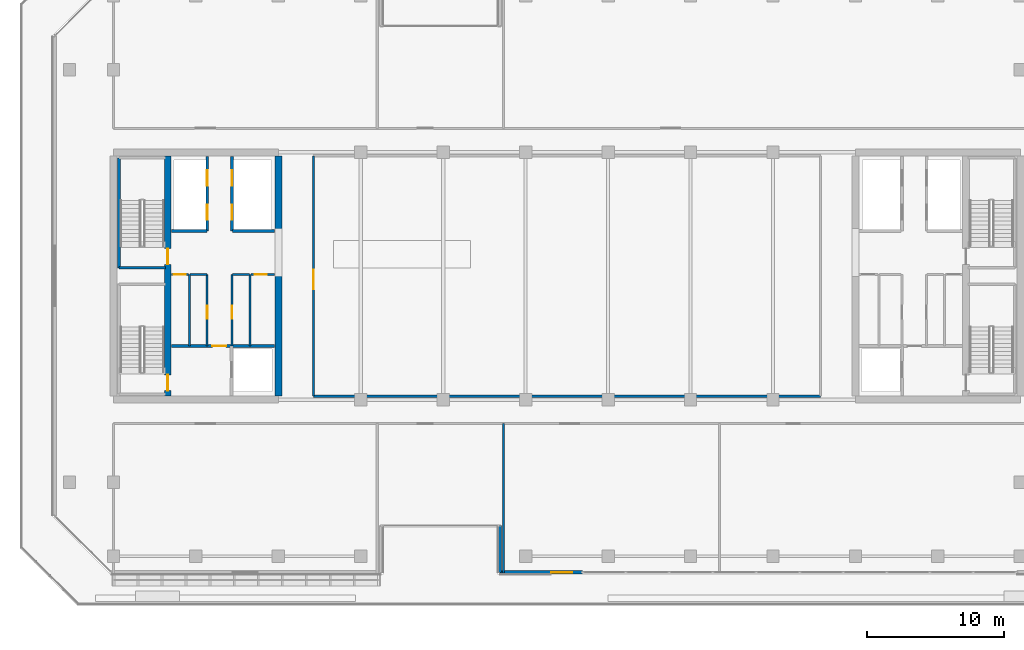
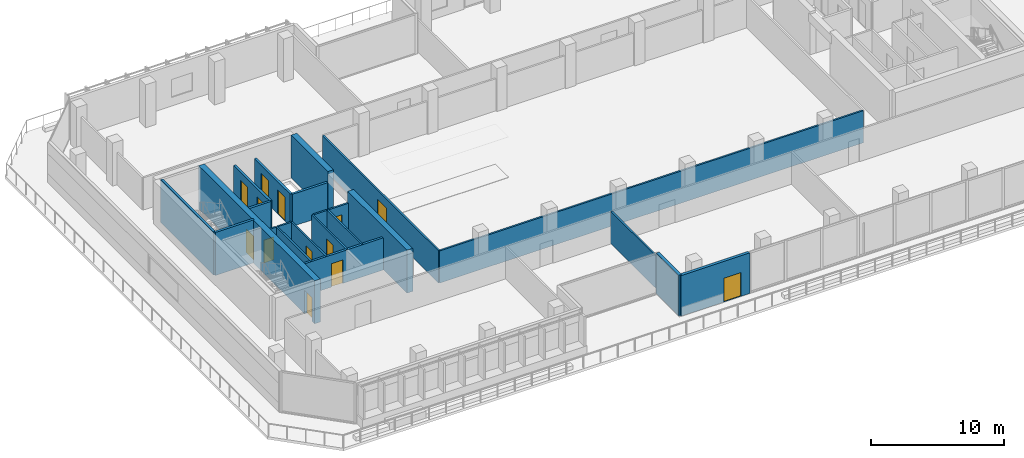
# One storey, part 20 of 30: 23 walls, 13 doors, 13 openings.
"""IFC4 building model written with IfcOpenShell, lengths in metres."""

from ifc_helpers import new_model, si_unit, direction, frame, frame_2d, origin, place, context, subcontext, project, spatial, rectangle, extrude, material, layer, layer_set, type_object, element, fill, save


model = new_model("IFC4")

# Units and contexts
model_context = context("Model", 3, precision=1e-05, world=origin(), true_north=direction((0.0, 1.0)))
body_context = subcontext(model_context, "Body", "Model", "MODEL_VIEW")
ifc_project = project(units=[si_unit("LENGTHUNIT", "METRE"), si_unit("AREAUNIT", "SQUARE_METRE"), si_unit("VOLUMEUNIT", "CUBIC_METRE"), si_unit("PLANEANGLEUNIT", "RADIAN"), si_unit("MASSUNIT", "GRAM", prefix="KILO")], contexts=[model_context])

# Site, building, storey
site_placement = place(None, origin())
site = spatial("IfcSite", under=ifc_project, at=site_placement, CompositionType="ELEMENT")
building_placement = place(site_placement, origin())
building = spatial("IfcBuilding", under=site, at=building_placement, Name="Tanjung Sevakor Pilgrim Tower", CompositionType="ELEMENT")
storey_placement = place(building_placement, frame((0.0, 0.0, 128.0400390625)))
storey = spatial("IfcBuildingStorey", under=building, at=storey_placement, Name="L35", CompositionType="ELEMENT", Elevation=128.0400390625)

# Walls
ifc_material_1 = material(Name="Concrete C60/75", Category="concrete")
ifc_layer_1 = layer(ifc_material_1, 0.5)
ifc_layer_set_1 = layer_set([ifc_layer_1], Name="WALL-CW-500")
wall_type_1 = type_object("IfcWallType", Name="WALL-CW-500", PredefinedType="SHEAR", material=ifc_layer_set_1)
wall_1_placement = place(storey_placement, frame((36.0, 24.85009765625, 0.0), z_axis=(0.0, 0.0, 1.0), x_axis=(0.0, 1.0, 0.0)))
element("IfcWall", 1, at=wall_1_placement, inside=storey, type_object=wall_type_1, Name="L35 W Core Inner Shear Wall South", PredefinedType="SHEAR", context=body_context, shape_type="SweptSolid", body=[
    extrude(rectangle(XDim=8.949951171875, YDim=0.5, at=frame_2d((4.47509765625, 0.0))), origin(), (0.0, 0.0, 1.0), 3.9599609375),
])
wall_2_placement = place(storey_placement, frame((36.0, 36.800048828125, 0.0), z_axis=(0.0, 0.0, 1.0), x_axis=(0.0, 1.0, 0.0)))
element("IfcWall", 2, at=wall_2_placement, inside=storey, type_object=wall_type_1, Name="L35 W Core Inner Shear Wall North", PredefinedType="SHEAR", context=body_context, shape_type="SweptSolid", body=[
    extrude(rectangle(XDim=5.550048828125, YDim=0.5, at=frame_2d((2.77490234375, 0.0))), origin(), (0.0, 0.0, 1.0), 3.9599609375),
])

# Wall, openings, doors
wall_3_placement = place(storey_placement, frame((27.949951171875, 24.85009765625, 0.0), z_axis=(0.0, 0.0, 1.0), x_axis=(0.0, 1.0, 0.0)))
wall_3 = element("IfcWall", 3, at=wall_3_placement, inside=storey, type_object=wall_type_1, Name="L35 W Core Stair Spine Wall", PredefinedType="SHEAR", context=body_context, shape_type="SweptSolid", body=[
    extrude(rectangle(XDim=17.5, YDim=0.5, at=frame_2d((8.75, 0.0))), origin(), (0.0, 0.0, 1.0), 3.9599609375),
])
opening_1_placement = place(wall_3_placement, frame((0.39990234375, 0.0, 0.0)))
opening_1 = element("IfcOpeningElement", 4, at=opening_1_placement, cuts=wall_3, Name="Opening ID-ST1", PredefinedType="OPENING", context=body_context, shape_type="SweptSolid", body=[
    extrude(rectangle(XDim=1.14990234375, YDim=2.14990234375, at=frame_2d((0.574951171875, 1.074951171875))), frame((0.0, 0.260009765625, 0.0), z_axis=(0.0, -1.0, 0.0), x_axis=(1.0, 0.0, 0.0)), (0.0, 0.0, 1.0), 0.52001953125),
])
opening_2_placement = place(wall_3_placement, frame((9.60009765625, 0.0, 0.0)))
opening_2 = element("IfcOpeningElement", 5, at=opening_2_placement, cuts=wall_3, Name="Opening ID-ST1", PredefinedType="OPENING", context=body_context, shape_type="SweptSolid", body=[
    extrude(rectangle(XDim=1.14990234375, YDim=2.14990234375, at=frame_2d((0.574951171875, 1.074951171875))), frame((0.0, 0.260009765625, 0.0), z_axis=(0.0, -1.0, 0.0), x_axis=(1.0, 0.0, 0.0)), (0.0, 0.0, 1.0), 0.52001953125),
])
ifc_material_2 = material(Name="Fire-Rated Steel S355J2", Category="steel")
door_type_1 = type_object("IfcDoorType", Name="DT-FIRE-1150", OperationType="NOTDEFINED", PredefinedType="DOOR", material=ifc_material_2)
door_1_placement = place(opening_1_placement, origin())
door_1 = element("IfcDoor", 6, at=door_1_placement, inside=storey, type_object=door_type_1, Name="L35 TS-W1 Stair Fire Door", OperationType="SINGLE_SWING_LEFT", OverallHeight=2.14990234375, OverallWidth=1.14990234375, PredefinedType="DOOR", context=body_context, shape_type="SweptSolid", body=[
    extrude(rectangle(XDim=1.14990234375, YDim=2.14990234375, at=frame_2d((0.574951171875, 1.074951171875))), frame((0.0, 0.02490234375, 0.0), z_axis=(0.0, -1.0, 0.0), x_axis=(1.0, 0.0, 0.0)), (0.0, 0.0, 1.0), 0.050048828125),
])
fill(opening_1, door_1)
door_2_placement = place(opening_2_placement, origin())
door_2 = element("IfcDoor", 7, at=door_2_placement, inside=storey, type_object=door_type_1, Name="L35 TS-W2 Stair Fire Door", OperationType="SINGLE_SWING_RIGHT", OverallHeight=2.14990234375, OverallWidth=1.14990234375, PredefinedType="DOOR", context=body_context, shape_type="SweptSolid", body=[
    extrude(rectangle(XDim=1.14990234375, YDim=2.14990234375, at=frame_2d((0.574951171875, 1.074951171875))), frame((0.0, 0.02490234375, 0.0), z_axis=(0.0, -1.0, 0.0), x_axis=(1.0, 0.0, 0.0)), (0.0, 0.0, 1.0), 0.050048828125),
])
fill(opening_2, door_2)

# Wall
ifc_material_3 = material(Name="Concrete C40/50", Category="concrete")
ifc_layer_2 = layer(ifc_material_3, 0.14990234375)
ifc_layer_set_2 = layer_set([ifc_layer_2], Name="WT-COMP-150")
wall_type_2 = type_object("IfcWallType", Name="WT-COMP-150", PredefinedType="SOLIDWALL", material=ifc_layer_set_2)
wall_4_placement = place(storey_placement, frame((29.52001953125, 28.5, 0.0), z_axis=(0.0, 0.0, 1.0), x_axis=(0.0, 1.0, 0.0)))
element("IfcWall", 8, at=wall_4_placement, inside=storey, type_object=wall_type_2, Name="L35 Partition IW-L35-003", PredefinedType="SOLIDWALL", context=body_context, shape_type="SweptSolid", body=[
    extrude(rectangle(XDim=5.219970703125, YDim=0.14990234375, at=frame_2d((2.60986328125, 0.0))), origin(), (0.0, 0.0, 1.0), 2.9599609375),
])

# Wall, opening, door
wall_5_placement = place(storey_placement, frame((28.219970703125, 33.719970703125, 0.0), z_axis=(0.0, 0.0, 1.0), x_axis=(1.0, 0.0, 0.0)))
wall_5 = element("IfcWall", 9, at=wall_5_placement, inside=storey, type_object=wall_type_2, Name="L35 Partition IW-L35-004", PredefinedType="SOLIDWALL", context=body_context, shape_type="SweptSolid", body=[
    extrude(rectangle(XDim=1.22998046875, YDim=0.14990234375, at=frame_2d((0.614990234375, 0.0))), origin(), (0.0, 0.0, 1.0), 2.9599609375),
])
opening_3_placement = place(wall_5_placement, frame((0.179931640625, 0.0, 0.0)))
opening_3 = element("IfcOpeningElement", 10, at=opening_3_placement, cuts=wall_5, Name="Opening ID-FD3", PredefinedType="OPENING", context=body_context, shape_type="SweptSolid", body=[
    extrude(rectangle(XDim=0.85009765625, YDim=2.10009765625, at=frame_2d((0.425048828125, 1.050048828125))), frame((0.0, 0.0849609375, 0.0), z_axis=(0.0, -1.0, 0.0), x_axis=(1.0, 0.0, 0.0)), (0.0, 0.0, 1.0), 0.169921875),
])
ifc_material_4 = material(Name="Fire-Rated Timber", Category="wood")
door_type_2 = type_object("IfcDoorType", Name="DT-FIRE-850", OperationType="NOTDEFINED", PredefinedType="DOOR", material=ifc_material_4)
door_3_placement = place(opening_3_placement, origin())
door_3 = element("IfcDoor", 11, at=door_3_placement, inside=storey, type_object=door_type_2, Name="L35 Cleaner Store Door", OperationType="SINGLE_SWING_LEFT", OverallHeight=2.10009765625, OverallWidth=0.85009765625, PredefinedType="DOOR", context=body_context, shape_type="SweptSolid", body=[
    extrude(rectangle(XDim=0.85009765625, YDim=2.10009765625, at=frame_2d((0.425048828125, 1.050048828125))), frame((0.0, 0.02490234375, 0.0), z_axis=(0.0, -1.0, 0.0), x_axis=(1.0, 0.0, 0.0)), (0.0, 0.0, 1.0), 0.050048828125),
])
fill(opening_3, door_3)

# Wall
wall_6_placement = place(storey_placement, frame((29.580078125, 33.719970703125, 0.0), z_axis=(0.0, 0.0, 1.0), x_axis=(1.0, 0.0, 0.0)))
element("IfcWall", 12, at=wall_6_placement, inside=storey, type_object=wall_type_2, Name="L35 Partition IW-L35-005", PredefinedType="SOLIDWALL", context=body_context, shape_type="SweptSolid", body=[
    extrude(rectangle(XDim=1.219970703125, YDim=0.14990234375, at=frame_2d((0.60986328125, 0.0))), origin(), (0.0, 0.0, 1.0), 2.9599609375),
])

# Wall, opening, door
wall_7_placement = place(storey_placement, frame((30.820068359375, 28.5, 0.0), z_axis=(0.0, 0.0, 1.0), x_axis=(0.0, 1.0, 0.0)))
wall_7 = element("IfcWall", 13, at=wall_7_placement, inside=storey, type_object=wall_type_2, Name="L35 Partition IW-L35-006", PredefinedType="SOLIDWALL", context=body_context, shape_type="SweptSolid", body=[
    extrude(rectangle(XDim=5.219970703125, YDim=0.14990234375, at=frame_2d((2.60986328125, 0.0))), origin(), (0.0, 0.0, 1.0), 2.9599609375),
])
opening_4_placement = place(wall_7_placement, frame((2.0, 0.0, 0.0)))
opening_4 = element("IfcOpeningElement", 14, at=opening_4_placement, cuts=wall_7, Name="Opening ID-FD2", PredefinedType="OPENING", context=body_context, shape_type="SweptSolid", body=[
    extrude(rectangle(XDim=0.949951171875, YDim=2.14990234375, at=frame_2d((0.47509765625, 1.074951171875))), frame((0.0, 0.0849609375, 0.0), z_axis=(0.0, -1.0, 0.0), x_axis=(1.0, 0.0, 0.0)), (0.0, 0.0, 1.0), 0.169921875),
])
ifc_material_5 = material(Name="Fire-Rated Timber", Category="wood")
door_type_3 = type_object("IfcDoorType", Name="DT-FIRE-950", OperationType="NOTDEFINED", PredefinedType="DOOR", material=ifc_material_5)
door_4_placement = place(opening_4_placement, origin())
door_4 = element("IfcDoor", 15, at=door_4_placement, inside=storey, type_object=door_type_3, Name="L35 Housekeeping Pantry Door", OperationType="SINGLE_SWING_RIGHT", OverallHeight=2.14990234375, OverallWidth=0.949951171875, PredefinedType="DOOR", context=body_context, shape_type="SweptSolid", body=[
    extrude(rectangle(XDim=0.949951171875, YDim=2.14990234375, at=frame_2d((0.47509765625, 1.074951171875))), frame((0.0, 0.02490234375, 0.0), z_axis=(0.0, -1.0, 0.0), x_axis=(1.0, 0.0, 0.0)), (0.0, 0.0, 1.0), 0.050048828125),
])
fill(opening_4, door_4)

# Walls
wall_8_placement = place(storey_placement, frame((33.949951171875, 28.5, 0.0), z_axis=(0.0, 0.0, 1.0), x_axis=(0.0, 1.0, 0.0)))
element("IfcWall", 16, at=wall_8_placement, inside=storey, type_object=wall_type_2, Name="L35 Partition IW-L35-007", PredefinedType="SOLIDWALL", context=body_context, shape_type="SweptSolid", body=[
    extrude(rectangle(XDim=5.219970703125, YDim=0.14990234375, at=frame_2d((2.60986328125, 0.0))), origin(), (0.0, 0.0, 1.0), 2.9599609375),
])
wall_9_placement = place(storey_placement, frame((32.679931640625, 33.719970703125, 0.0), z_axis=(0.0, 0.0, 1.0), x_axis=(1.0, 0.0, 0.0)))
element("IfcWall", 17, at=wall_9_placement, inside=storey, type_object=wall_type_2, Name="L35 Partition IW-L35-008", PredefinedType="SOLIDWALL", context=body_context, shape_type="SweptSolid", body=[
    extrude(rectangle(XDim=1.2099609375, YDim=0.14990234375, at=frame_2d((0.60498046875, 0.0))), origin(), (0.0, 0.0, 1.0), 2.9599609375),
])

# Wall, opening, door
wall_10_placement = place(storey_placement, frame((34.010009765625, 33.719970703125, 0.0), z_axis=(0.0, 0.0, 1.0), x_axis=(1.0, 0.0, 0.0)))
wall_10 = element("IfcWall", 18, at=wall_10_placement, inside=storey, type_object=wall_type_2, Name="L35 Partition IW-L35-009", PredefinedType="SOLIDWALL", context=body_context, shape_type="SweptSolid", body=[
    extrude(rectangle(XDim=1.719970703125, YDim=0.14990234375, at=frame_2d((0.85986328125, 0.0))), origin(), (0.0, 0.0, 1.0), 2.9599609375),
])
opening_5_placement = place(wall_10_placement, frame((0.280029296875, 0.0, 0.0)))
opening_5 = element("IfcOpeningElement", 19, at=opening_5_placement, cuts=wall_10, Name="Opening ID-FD3", PredefinedType="OPENING", context=body_context, shape_type="SweptSolid", body=[
    extrude(rectangle(XDim=0.85009765625, YDim=2.10009765625, at=frame_2d((0.425048828125, 1.050048828125))), frame((0.0, 0.0849609375, 0.0), z_axis=(0.0, -1.0, 0.0), x_axis=(1.0, 0.0, 0.0)), (0.0, 0.0, 1.0), 0.169921875),
])
door_5_placement = place(opening_5_placement, origin())
door_5 = element("IfcDoor", 20, at=door_5_placement, inside=storey, type_object=door_type_2, Name="L35 Service Store Door", OperationType="SINGLE_SWING_LEFT", OverallHeight=2.10009765625, OverallWidth=0.85009765625, PredefinedType="DOOR", context=body_context, shape_type="SweptSolid", body=[
    extrude(rectangle(XDim=0.85009765625, YDim=2.10009765625, at=frame_2d((0.425048828125, 1.050048828125))), frame((0.0, 0.02490234375, 0.0), z_axis=(0.0, -1.0, 0.0), x_axis=(1.0, 0.0, 0.0)), (0.0, 0.0, 1.0), 0.050048828125),
])
fill(opening_5, door_5)

wall_11_placement = place(storey_placement, frame((32.6201171875, 28.5, 0.0), z_axis=(0.0, 0.0, 1.0), x_axis=(0.0, 1.0, 0.0)))
wall_11 = element("IfcWall", 21, at=wall_11_placement, inside=storey, type_object=wall_type_2, Name="L35 Partition IW-L35-010", PredefinedType="SOLIDWALL", context=body_context, shape_type="SweptSolid", body=[
    extrude(rectangle(XDim=5.219970703125, YDim=0.14990234375, at=frame_2d((2.60986328125, 0.0))), origin(), (0.0, 0.0, 1.0), 2.9599609375),
])
opening_6_placement = place(wall_11_placement, frame((2.0, 0.0, 0.0)))
opening_6 = element("IfcOpeningElement", 22, at=opening_6_placement, cuts=wall_11, Name="Opening ID-FD2", PredefinedType="OPENING", context=body_context, shape_type="SweptSolid", body=[
    extrude(rectangle(XDim=0.949951171875, YDim=2.14990234375, at=frame_2d((0.47509765625, 1.074951171875))), frame((0.0, 0.0849609375, 0.0), z_axis=(0.0, -1.0, 0.0), x_axis=(1.0, 0.0, 0.0)), (0.0, 0.0, 1.0), 0.169921875),
])
door_6_placement = place(opening_6_placement, origin())
door_6 = element("IfcDoor", 23, at=door_6_placement, inside=storey, type_object=door_type_3, Name="L35 Accessible WC Door", OperationType="SINGLE_SWING_RIGHT", OverallHeight=2.14990234375, OverallWidth=0.949951171875, PredefinedType="DOOR", context=body_context, shape_type="SweptSolid", body=[
    extrude(rectangle(XDim=0.949951171875, YDim=2.14990234375, at=frame_2d((0.47509765625, 1.074951171875))), frame((0.0, 0.02490234375, 0.0), z_axis=(0.0, -1.0, 0.0), x_axis=(1.0, 0.0, 0.0)), (0.0, 0.0, 1.0), 0.050048828125),
])
fill(opening_6, door_6)

# Wall
wall_12_placement = place(storey_placement, frame((38.550048828125, 24.85009765625, 0.0), z_axis=(0.0, 0.0, 1.0), x_axis=(1.0, 0.0, 0.0)))
element("IfcWall", 24, at=wall_12_placement, inside=storey, type_object=wall_type_2, Name="L35 Partition IW-L35-029", PredefinedType="SOLIDWALL", context=body_context, shape_type="SweptSolid", body=[
    extrude(rectangle(XDim=36.89990234375, YDim=0.14990234375, at=frame_2d((18.449951171875, 0.0))), origin(), (0.0, 0.0, 1.0), 2.9599609375),
])

# Wall, opening, door
wall_13_placement = place(storey_placement, frame((38.550048828125, 24.85009765625, 0.0), z_axis=(0.0, 0.0, 1.0), x_axis=(0.0, 1.0, 0.0)))
wall_13 = element("IfcWall", 25, at=wall_13_placement, inside=storey, type_object=wall_type_2, Name="L35 Partition IW-L35-031", PredefinedType="SOLIDWALL", context=body_context, shape_type="SweptSolid", body=[
    extrude(rectangle(XDim=17.5, YDim=0.14990234375, at=frame_2d((8.75, 0.0))), origin(), (0.0, 0.0, 1.0), 2.9599609375),
])
opening_7_placement = place(wall_13_placement, frame((7.800048828125, 0.0, 0.0)))
opening_7 = element("IfcOpeningElement", 26, at=opening_7_placement, cuts=wall_13, Name="Opening ID-HD1", PredefinedType="OPENING", context=body_context, shape_type="SweptSolid", body=[
    extrude(rectangle(XDim=1.39990234375, YDim=2.14990234375, at=frame_2d((0.699951171875, 1.074951171875))), frame((0.0, 0.0849609375, 0.0), z_axis=(0.0, -1.0, 0.0), x_axis=(1.0, 0.0, 0.0)), (0.0, 0.0, 1.0), 0.169921875),
])
ifc_material_6 = material(Name="Hardwood Timber", Category="wood")
door_type_4 = type_object("IfcDoorType", Name="DT-INT-1400", OperationType="DOUBLE_DOOR_SINGLE_SWING", PredefinedType="DOOR", material=ifc_material_6)
door_7_placement = place(opening_7_placement, origin())
door_7 = element("IfcDoor", 27, at=door_7_placement, inside=storey, type_object=door_type_4, Name="L35 Sky Lobby West Door", OperationType="SINGLE_SWING_LEFT", OverallHeight=2.14990234375, OverallWidth=1.39990234375, PredefinedType="DOOR", context=body_context, shape_type="SweptSolid", body=[
    extrude(rectangle(XDim=1.39990234375, YDim=2.14990234375, at=frame_2d((0.699951171875, 1.074951171875))), frame((0.0, 0.02490234375, 0.0), z_axis=(0.0, -1.0, 0.0), x_axis=(1.0, 0.0, 0.0)), (0.0, 0.0, 1.0), 0.050048828125),
])
fill(opening_7, door_7)

# Wall
ifc_material_7 = material(Name="Precast concrete C45/55", Category="concrete")
ifc_layer_3 = layer(ifc_material_7, 0.25)
ifc_layer_set_3 = layer_set([ifc_layer_3], Name="WT-EW-STN3")
wall_type_3 = type_object("IfcWallType", Name="WT-EW-STN3", PredefinedType="SOLIDWALL", material=ifc_layer_set_3)
wall_14_placement = place(storey_placement, frame((52.125, 15.425048828125, 0.0), z_axis=(0.0, 0.0, 1.0), x_axis=(0.0, -1.0, 0.0)))
element("IfcWall", 28, at=wall_14_placement, inside=storey, type_object=wall_type_3, Name="L35 MAIN Exterior Wall 4", PredefinedType="SOLIDWALL", context=body_context, shape_type="SweptSolid", body=[
    extrude(rectangle(XDim=3.400146484375, YDim=0.25, at=frame_2d((1.7001953125, 0.0))), origin(), (0.0, 0.0, 1.0), 3.739990234375),
])

# Wall, opening, door
wall_15_placement = place(storey_placement, frame((52.125, 12.02490234375, 0.0), z_axis=(0.0, 0.0, 1.0), x_axis=(1.0, 0.0, 0.0)))
wall_15 = element("IfcWall", 29, at=wall_15_placement, inside=storey, type_object=wall_type_3, Name="L35 Sky Lobby Wall S1", PredefinedType="SOLIDWALL", context=body_context, shape_type="SweptSolid", body=[
    extrude(rectangle(XDim=6.0, YDim=0.25, at=frame_2d((3.0, 0.0))), origin(), (0.0, 0.0, 1.0), 3.739990234375),
])
opening_8_placement = place(wall_15_placement, frame((3.75, 0.0, 0.0)))
opening_8 = element("IfcOpeningElement", 30, at=opening_8_placement, cuts=wall_15, Name="Opening ED-TER-1500", PredefinedType="OPENING", context=body_context, shape_type="SweptSolid", body=[
    extrude(rectangle(XDim=1.5, YDim=2.199951171875, at=frame_2d((0.75, 1.10009765625))), frame((0.0, 0.135009765625, 0.0), z_axis=(0.0, -1.0, 0.0), x_axis=(1.0, 0.0, 0.0)), (0.0, 0.0, 1.0), 0.27001953125),
])
ifc_material_8 = material(Name="Anodised Aluminium and Laminated Glass", Category="aluminium")
door_type_5 = type_object("IfcDoorType", Name="DTYP-ED-TER-1500", OperationType="DOUBLE_DOOR_SINGLE_SWING", PredefinedType="DOOR", material=ifc_material_8)
door_8_placement = place(opening_8_placement, frame((1.5, 0.0, 0.0), z_axis=(0.0, 0.0, 1.0), x_axis=(-1.0, 0.0, 0.0)))
door_8 = element("IfcDoor", 31, at=door_8_placement, inside=storey, type_object=door_type_5, Name="L35 Sky Terrace Door S", OperationType="SINGLE_SWING_RIGHT", OverallHeight=2.199951171875, OverallWidth=1.5, PredefinedType="DOOR", context=body_context, shape_type="SweptSolid", body=[
    extrude(rectangle(XDim=1.5, YDim=2.199951171875, at=frame_2d((0.75, 1.10009765625))), frame((0.0, 0.02490234375, 0.0), z_axis=(0.0, -1.0, 0.0), x_axis=(1.0, 0.0, 0.0)), (0.0, 0.0, 1.0), 0.050048828125),
])
fill(opening_8, door_8)

# Walls
ifc_material_9 = material(Name="Concrete C40/50", Category="concrete")
ifc_layer_4 = layer(ifc_material_9, 0.199951171875)
ifc_layer_set_4 = layer_set([ifc_layer_4], Name="WT-FIRE-200")
wall_type_4 = type_object("IfcWallType", Name="WT-FIRE-200", PredefinedType="SOLIDWALL", material=ifc_layer_set_4)
wall_16_placement = place(storey_placement, frame((24.39990234375, 34.199951171875, 0.0), z_axis=(0.0, 0.0, 1.0), x_axis=(1.0, 0.0, 0.0)))
element("IfcWall", 32, at=wall_16_placement, inside=storey, type_object=wall_type_4, Name="L35 TS-W2 Shaft Wall 1", PredefinedType="SOLIDWALL", context=body_context, shape_type="SweptSolid", body=[
    extrude(rectangle(XDim=3.400146484375, YDim=0.199951171875, at=frame_2d((1.7001953125, 0.0))), origin(), (0.0, 0.0, 1.0), 3.9599609375),
])
wall_17_placement = place(storey_placement, frame((24.39990234375, 42.199951171875, 0.0), z_axis=(0.0, 0.0, 1.0), x_axis=(0.0, -1.0, 0.0)))
element("IfcWall", 33, at=wall_17_placement, inside=storey, type_object=wall_type_4, Name="L35 TS-W2 Shaft Wall 3", PredefinedType="SOLIDWALL", context=body_context, shape_type="SweptSolid", body=[
    extrude(rectangle(XDim=8.0, YDim=0.199951171875, at=frame_2d((4.0, 0.0))), origin(), (0.0, 0.0, 1.0), 3.9599609375),
])

# Wall, opening, door
ifc_material_10 = material(Name="Concrete C40/50", Category="concrete")
ifc_layer_5 = layer(ifc_material_10, 0.199951171875)
ifc_layer_set_5 = layer_set([ifc_layer_5], Name="WT-FPRT-200")
wall_type_5 = type_object("IfcWallType", Name="WT-FPRT-200", PredefinedType="SOLIDWALL", material=ifc_layer_set_5)
wall_18_placement = place(storey_placement, frame((28.219970703125, 28.5, 0.0), z_axis=(0.0, 0.0, 1.0), x_axis=(1.0, 0.0, 0.0)))
wall_18 = element("IfcWall", 34, at=wall_18_placement, inside=storey, type_object=wall_type_5, Name="L35 Partition IW-L35-002", PredefinedType="SOLIDWALL", context=body_context, shape_type="SweptSolid", body=[
    extrude(rectangle(XDim=7.510009765625, YDim=0.199951171875, at=frame_2d((3.7548828125, 0.0))), origin(), (0.0, 0.0, 1.0), 2.9599609375),
])
opening_9_placement = place(wall_18_placement, frame((2.97998046875, 0.0, 0.0)))
opening_9 = element("IfcOpeningElement", 35, at=opening_9_placement, cuts=wall_18, Name="Opening ID-FD1", PredefinedType="OPENING", context=body_context, shape_type="SweptSolid", body=[
    extrude(rectangle(XDim=1.0, YDim=2.14990234375, at=frame_2d((0.5, 1.074951171875))), frame((0.0, 0.10986328125, 0.0), z_axis=(0.0, -1.0, 0.0), x_axis=(1.0, 0.0, 0.0)), (0.0, 0.0, 1.0), 0.219970703125),
])
ifc_material_11 = material(Name="Fire-Rated Steel S355J2", Category="steel")
door_type_6 = type_object("IfcDoorType", Name="DT-FIRE-1000", OperationType="NOTDEFINED", PredefinedType="DOOR", material=ifc_material_11)
door_9_placement = place(opening_9_placement, origin())
door_9 = element("IfcDoor", 36, at=door_9_placement, inside=storey, type_object=door_type_6, Name="Fire Lobby Door W", OperationType="SINGLE_SWING_RIGHT", OverallHeight=2.14990234375, OverallWidth=1.0, PredefinedType="DOOR", context=body_context, shape_type="SweptSolid", body=[
    extrude(rectangle(XDim=1.0, YDim=2.14990234375, at=frame_2d((0.5, 1.074951171875))), frame((0.0, 0.02490234375, 0.0), z_axis=(0.0, -1.0, 0.0), x_axis=(1.0, 0.0, 0.0)), (0.0, 0.0, 1.0), 0.050048828125),
])
fill(opening_9, door_9)

# Wall
wall_19_placement = place(storey_placement, frame((28.219970703125, 36.8798828125, 0.0), z_axis=(0.0, 0.0, 1.0), x_axis=(1.0, 0.0, 0.0)))
element("IfcWall", 37, at=wall_19_placement, inside=storey, type_object=wall_type_5, Name="L35 Partition IW-L35-011", PredefinedType="SOLIDWALL", context=body_context, shape_type="SweptSolid", body=[
    extrude(rectangle(XDim=2.580078125, YDim=0.199951171875, at=frame_2d((1.2900390625, 0.0))), origin(), (0.0, 0.0, 1.0), 2.9599609375),
])

# Wall, openings, doors
wall_20_placement = place(storey_placement, frame((30.820068359375, 36.8798828125, 0.0), z_axis=(0.0, 0.0, 1.0), x_axis=(0.0, 1.0, 0.0)))
wall_20 = element("IfcWall", 38, at=wall_20_placement, inside=storey, type_object=wall_type_5, Name="L35 Partition IW-L35-012", PredefinedType="SOLIDWALL", context=body_context, shape_type="SweptSolid", body=[
    extrude(rectangle(XDim=5.420166015625, YDim=0.199951171875, at=frame_2d((2.7099609375, 0.0))), origin(), (0.0, 0.0, 1.0), 2.9599609375),
])
opening_10_placement = place(wall_20_placement, frame((0.800048828125, 0.0, 0.0)))
opening_10 = element("IfcOpeningElement", 39, at=opening_10_placement, cuts=wall_20, Name="Opening LD-1100", PredefinedType="OPENING", context=body_context, shape_type="SweptSolid", body=[
    extrude(rectangle(XDim=1.10009765625, YDim=2.199951171875, at=frame_2d((0.550048828125, 1.10009765625))), frame((0.0, 0.10986328125, 0.0), z_axis=(0.0, -1.0, 0.0), x_axis=(1.0, 0.0, 0.0)), (0.0, 0.0, 1.0), 0.219970703125),
])
opening_11_placement = place(wall_20_placement, frame((3.300048828125, 0.0, 0.0)))
opening_11 = element("IfcOpeningElement", 40, at=opening_11_placement, cuts=wall_20, Name="Opening LD-1100", PredefinedType="OPENING", context=body_context, shape_type="SweptSolid", body=[
    extrude(rectangle(XDim=1.10009765625, YDim=2.199951171875, at=frame_2d((0.550048828125, 1.10009765625))), frame((0.0, 0.10986328125, 0.0), z_axis=(0.0, -1.0, 0.0), x_axis=(1.0, 0.0, 0.0)), (0.0, 0.0, 1.0), 0.219970703125),
])
ifc_material_12 = material(Name="Brushed Stainless Steel S355J2", Category="steel")
door_type_7 = type_object("IfcDoorType", Name="DT-LIFT-1100", OperationType="SLIDING_TO_LEFT", PredefinedType="DOOR", material=ifc_material_12)
door_10_placement = place(opening_10_placement, origin())
door_10 = element("IfcDoor", 41, at=door_10_placement, inside=storey, type_object=door_type_7, Name="LD-PLM1-W", OperationType="SLIDING_TO_LEFT", OverallHeight=2.199951171875, OverallWidth=1.10009765625, PredefinedType="DOOR", context=body_context, shape_type="SweptSolid", body=[
    extrude(rectangle(XDim=1.10009765625, YDim=2.199951171875, at=frame_2d((0.550048828125, 1.10009765625))), frame((0.0, 0.02490234375, 0.0), z_axis=(0.0, -1.0, 0.0), x_axis=(1.0, 0.0, 0.0)), (0.0, 0.0, 1.0), 0.050048828125),
])
fill(opening_10, door_10)
door_11_placement = place(opening_11_placement, origin())
door_11 = element("IfcDoor", 42, at=door_11_placement, inside=storey, type_object=door_type_7, Name="LD-PLM2-W", OperationType="SLIDING_TO_RIGHT", OverallHeight=2.199951171875, OverallWidth=1.10009765625, PredefinedType="DOOR", context=body_context, shape_type="SweptSolid", body=[
    extrude(rectangle(XDim=1.10009765625, YDim=2.199951171875, at=frame_2d((0.550048828125, 1.10009765625))), frame((0.0, 0.02490234375, 0.0), z_axis=(0.0, -1.0, 0.0), x_axis=(1.0, 0.0, 0.0)), (0.0, 0.0, 1.0), 0.050048828125),
])
fill(opening_11, door_11)

# Wall
wall_21_placement = place(storey_placement, frame((32.679931640625, 36.8798828125, 0.0), z_axis=(0.0, 0.0, 1.0), x_axis=(1.0, 0.0, 0.0)))
element("IfcWall", 43, at=wall_21_placement, inside=storey, type_object=wall_type_5, Name="L35 Partition IW-L35-013", PredefinedType="SOLIDWALL", context=body_context, shape_type="SweptSolid", body=[
    extrude(rectangle(XDim=3.050048828125, YDim=0.199951171875, at=frame_2d((1.52490234375, 0.0))), origin(), (0.0, 0.0, 1.0), 2.9599609375),
])

# Wall, openings, doors
wall_22_placement = place(storey_placement, frame((32.6201171875, 36.8798828125, 0.0), z_axis=(0.0, 0.0, 1.0), x_axis=(0.0, 1.0, 0.0)))
wall_22 = element("IfcWall", 44, at=wall_22_placement, inside=storey, type_object=wall_type_5, Name="L35 Partition IW-L35-014", PredefinedType="SOLIDWALL", context=body_context, shape_type="SweptSolid", body=[
    extrude(rectangle(XDim=5.420166015625, YDim=0.199951171875, at=frame_2d((2.7099609375, 0.0))), origin(), (0.0, 0.0, 1.0), 2.9599609375),
])
opening_12_placement = place(wall_22_placement, frame((0.800048828125, 0.0, 0.0)))
opening_12 = element("IfcOpeningElement", 45, at=opening_12_placement, cuts=wall_22, Name="Opening LD-1100", PredefinedType="OPENING", context=body_context, shape_type="SweptSolid", body=[
    extrude(rectangle(XDim=1.10009765625, YDim=2.199951171875, at=frame_2d((0.550048828125, 1.10009765625))), frame((0.0, 0.10986328125, 0.0), z_axis=(0.0, -1.0, 0.0), x_axis=(1.0, 0.0, 0.0)), (0.0, 0.0, 1.0), 0.219970703125),
])
opening_13_placement = place(wall_22_placement, frame((3.300048828125, 0.0, 0.0)))
opening_13 = element("IfcOpeningElement", 46, at=opening_13_placement, cuts=wall_22, Name="Opening LD-1100", PredefinedType="OPENING", context=body_context, shape_type="SweptSolid", body=[
    extrude(rectangle(XDim=1.10009765625, YDim=2.199951171875, at=frame_2d((0.550048828125, 1.10009765625))), frame((0.0, 0.10986328125, 0.0), z_axis=(0.0, -1.0, 0.0), x_axis=(1.0, 0.0, 0.0)), (0.0, 0.0, 1.0), 0.219970703125),
])
door_12_placement = place(opening_12_placement, origin())
door_12 = element("IfcDoor", 47, at=door_12_placement, inside=storey, type_object=door_type_7, Name="LD-PLH1-W", OperationType="SLIDING_TO_LEFT", OverallHeight=2.199951171875, OverallWidth=1.10009765625, PredefinedType="DOOR", context=body_context, shape_type="SweptSolid", body=[
    extrude(rectangle(XDim=1.10009765625, YDim=2.199951171875, at=frame_2d((0.550048828125, 1.10009765625))), frame((0.0, 0.02490234375, 0.0), z_axis=(0.0, -1.0, 0.0), x_axis=(1.0, 0.0, 0.0)), (0.0, 0.0, 1.0), 0.050048828125),
])
fill(opening_12, door_12)
door_13_placement = place(opening_13_placement, origin())
door_13 = element("IfcDoor", 48, at=door_13_placement, inside=storey, type_object=door_type_7, Name="LD-PLH2-W", OperationType="SLIDING_TO_RIGHT", OverallHeight=2.199951171875, OverallWidth=1.10009765625, PredefinedType="DOOR", context=body_context, shape_type="SweptSolid", body=[
    extrude(rectangle(XDim=1.10009765625, YDim=2.199951171875, at=frame_2d((0.550048828125, 1.10009765625))), frame((0.0, 0.02490234375, 0.0), z_axis=(0.0, -1.0, 0.0), x_axis=(1.0, 0.0, 0.0)), (0.0, 0.0, 1.0), 0.050048828125),
])
fill(opening_13, door_13)

# Wall
ifc_material_13 = material(Name="Gypsum Board Partition", Category="gypsum board")
ifc_layer_6 = layer(ifc_material_13, 0.14990234375)
ifc_layer_set_6 = layer_set([ifc_layer_6], Name="WT-PART-150")
wall_type_6 = type_object("IfcWallType", Name="WT-PART-150", PredefinedType="PARTITIONING", material=ifc_layer_set_6)
wall_23_placement = place(storey_placement, frame((52.39990234375, 12.0, 0.0), z_axis=(0.0, 0.0, 1.0), x_axis=(0.0, 1.0, 0.0)))
element("IfcWall", 49, at=wall_23_placement, inside=storey, type_object=wall_type_6, Name="L35 Partition IW-L35-035", PredefinedType="PARTITIONING", context=body_context, shape_type="SweptSolid", body=[
    extrude(rectangle(XDim=10.85009765625, YDim=0.14990234375, at=frame_2d((5.425048828125, 0.0))), origin(), (0.0, 0.0, 1.0), 2.9599609375),
])

save(model, "model.ifc")
